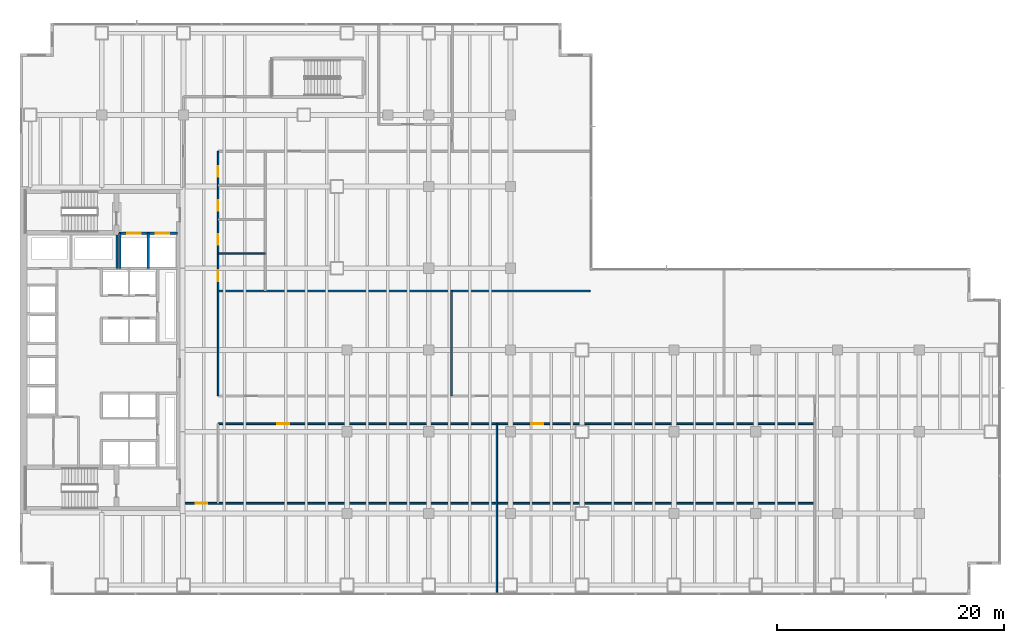
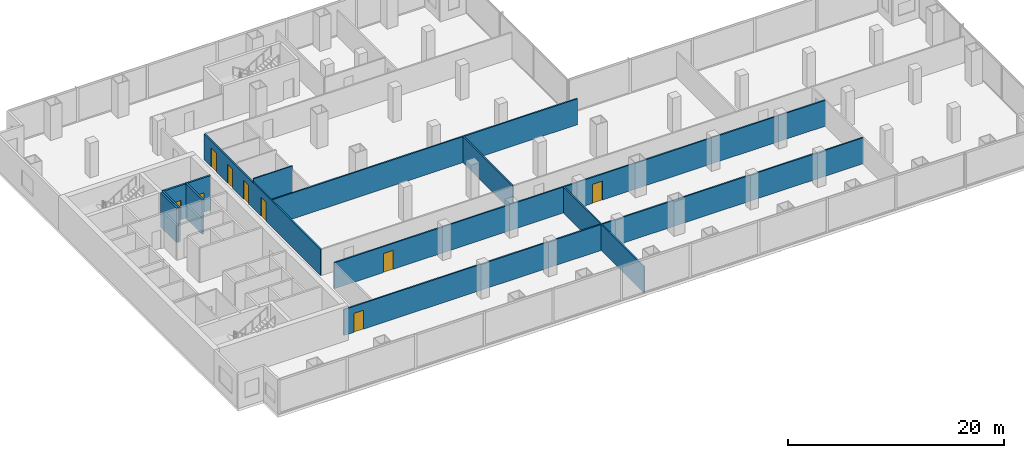
# One storey, part 23 of 31: 11 walls, 9 doors, 9 openings.
"""IFC4 building model written with IfcOpenShell, lengths in metres."""

from ifc_helpers import new_model, si_unit, direction, frame, frame_2d, origin, place, context, subcontext, project, spatial, rectangle, extrude, material, layer, layer_set, type_object, element, fill, save


model = new_model("IFC4")

# Units and contexts
model_context = context("Model", 3, precision=1e-05, world=origin(), true_north=direction((0.0, 1.0)))
body_context = subcontext(model_context, "Body", "Model", "MODEL_VIEW")
ifc_project = project(units=[si_unit("LENGTHUNIT", "METRE"), si_unit("AREAUNIT", "SQUARE_METRE"), si_unit("VOLUMEUNIT", "CUBIC_METRE"), si_unit("PLANEANGLEUNIT", "RADIAN"), si_unit("MASSUNIT", "GRAM", prefix="KILO")], contexts=[model_context])

# Site, building, storey
site_placement = place(None, origin())
site = spatial("IfcSite", under=ifc_project, at=site_placement, CompositionType="ELEMENT")
building_placement = place(site_placement, origin())
building = spatial("IfcBuilding", under=site, at=building_placement, Name="Cobrela Telecom Tower", CompositionType="ELEMENT")
storey_placement = place(building_placement, frame((0.0, 0.0, 9.449951171875)))
storey = spatial("IfcBuildingStorey", under=building, at=storey_placement, Name="L02", CompositionType="ELEMENT", Elevation=9.449951171875)

# Wall
ifc_material_1 = material(Name="Fire-Rated Gypsum Plasterboard")
ifc_layer_1 = layer(ifc_material_1, 0.125)
ifc_layer_set_1 = layer_set([ifc_layer_1], Name="Fire-Rated Gypsum Plasterboard")
wall_type_1 = type_object("IfcWallType", Name="WALL-PART-125", PredefinedType="PARTITIONING", material=ifc_layer_set_1)
wall_1_placement = place(storey_placement, frame((17.449951171875, 30.10009765625, 0.0), z_axis=(0.0, 0.0, 1.0), x_axis=(1.0, 0.0, 0.0)))
element("IfcWall", 1, at=wall_1_placement, inside=storey, type_object=wall_type_1, Name="L02 Interior Partition W-PWC-3", PredefinedType="PARTITIONING", context=body_context, shape_type="SweptSolid", body=[
    extrude(rectangle(XDim=4.150146484375, YDim=0.125, at=frame_2d((2.0751953125, 0.0))), origin(), (0.0, 0.0, 1.0), 3.3359375),
])

# Wall, opening, door
ifc_layer_2 = layer(ifc_material_1, 0.14990234375)
ifc_layer_set_2 = layer_set([ifc_layer_2], Name="Fire-Rated Gypsum Plasterboard")
wall_type_2 = type_object("IfcWallType", Name="WALL-PART-150", PredefinedType="PARTITIONING", material=ifc_layer_set_2)
wall_2_placement = place(storey_placement, frame((14.39990234375, 8.10009765625, 0.0), z_axis=(0.0, 0.0, 1.0), x_axis=(1.0, 0.0, 0.0)))
wall_2 = element("IfcWall", 2, at=wall_2_placement, inside=storey, type_object=wall_type_2, Name="L02 Interior Partition W-PC-S", PredefinedType="PARTITIONING", context=body_context, shape_type="SweptSolid", body=[
    extrude(rectangle(XDim=55.60009765625, YDim=0.14990234375, at=frame_2d((27.800048828125, 0.0))), origin(), (0.0, 0.0, 1.0), 2.93798828125),
])
opening_1_placement = place(wall_2_placement, frame((1.10009765625, 0.0, 0.0)))
opening_1 = element("IfcOpeningElement", 3, at=opening_1_placement, cuts=wall_2, Name="Opening DR-31", PredefinedType="OPENING", context=body_context, shape_type="SweptSolid", body=[
    extrude(rectangle(XDim=1.0, YDim=2.14990234375, at=frame_2d((0.5, 1.074951171875))), frame((0.0, 0.0869140625, 0.0), z_axis=(0.0, -1.0, 0.0), x_axis=(1.0, 0.0, 0.0)), (0.0, 0.0, 1.0), 0.173828125),
])
ifc_material_2 = material(Name="Solid Engineered Oak Timber", Category="wood")
door_type_1 = type_object("IfcDoorType", Name="DOOR-INT-1000", OperationType="SINGLE_SWING_LEFT", PredefinedType="DOOR", material=ifc_material_2)
door_1_placement = place(opening_1_placement, origin())
door_1 = element("IfcDoor", 4, at=door_1_placement, inside=storey, type_object=door_type_1, Name="L02 Door DR-31", OperationType="SINGLE_SWING_RIGHT", OverallHeight=2.14990234375, OverallWidth=1.0, PredefinedType="DOOR", context=body_context, shape_type="SweptSolid", body=[
    extrude(rectangle(XDim=1.0, YDim=2.14990234375, at=frame_2d((0.5, 1.074951171875))), frame((0.0, 0.02490234375, 0.0), z_axis=(0.0, -1.0, 0.0), x_axis=(1.0, 0.0, 0.0)), (0.0, 0.0, 1.0), 0.050048828125),
])
fill(opening_1, door_1)

# Wall, openings, doors
wall_3_placement = place(storey_placement, frame((17.449951171875, 17.550048828125, 0.0), z_axis=(0.0, 0.0, 1.0), x_axis=(0.0, 1.0, 0.0)))
wall_3 = element("IfcWall", 5, at=wall_3_placement, inside=storey, type_object=wall_type_2, Name="L02 Interior Partition W-PC-E2", PredefinedType="PARTITIONING", context=body_context, shape_type="SweptSolid", body=[
    extrude(rectangle(XDim=21.550048828125, YDim=0.14990234375, at=frame_2d((10.77490234375, 0.0))), origin(), (0.0, 0.0, 1.0), 2.93798828125),
])
opening_2_placement = place(wall_3_placement, frame((19.300048828125, 0.0, 0.0)))
opening_2 = element("IfcOpeningElement", 6, at=opening_2_placement, cuts=wall_3, Name="Opening DR-67", PredefinedType="OPENING", context=body_context, shape_type="SweptSolid", body=[
    extrude(rectangle(XDim=0.949951171875, YDim=2.14990234375, at=frame_2d((0.47509765625, 1.074951171875))), frame((0.0, 0.0869140625, 0.0), z_axis=(0.0, -1.0, 0.0), x_axis=(1.0, 0.0, 0.0)), (0.0, 0.0, 1.0), 0.173828125),
])
opening_3_placement = place(wall_3_placement, frame((16.300048828125, 0.0, 0.0)))
opening_3 = element("IfcOpeningElement", 7, at=opening_3_placement, cuts=wall_3, Name="Opening DR-67", PredefinedType="OPENING", context=body_context, shape_type="SweptSolid", body=[
    extrude(rectangle(XDim=0.949951171875, YDim=2.14990234375, at=frame_2d((0.47509765625, 1.074951171875))), frame((0.0, 0.0869140625, 0.0), z_axis=(0.0, -1.0, 0.0), x_axis=(1.0, 0.0, 0.0)), (0.0, 0.0, 1.0), 0.173828125),
])
opening_4_placement = place(wall_3_placement, frame((13.300048828125, 0.0, 0.0)))
opening_4 = element("IfcOpeningElement", 8, at=opening_4_placement, cuts=wall_3, Name="Opening DR-67", PredefinedType="OPENING", context=body_context, shape_type="SweptSolid", body=[
    extrude(rectangle(XDim=0.949951171875, YDim=2.14990234375, at=frame_2d((0.47509765625, 1.074951171875))), frame((0.0, 0.0869140625, 0.0), z_axis=(0.0, -1.0, 0.0), x_axis=(1.0, 0.0, 0.0)), (0.0, 0.0, 1.0), 0.173828125),
])
opening_5_placement = place(wall_3_placement, frame((10.10009765625, 0.0, 0.0)))
opening_5 = element("IfcOpeningElement", 9, at=opening_5_placement, cuts=wall_3, Name="Opening DR-67", PredefinedType="OPENING", context=body_context, shape_type="SweptSolid", body=[
    extrude(rectangle(XDim=0.949951171875, YDim=2.14990234375, at=frame_2d((0.47509765625, 1.074951171875))), frame((0.0, 0.0869140625, 0.0), z_axis=(0.0, -1.0, 0.0), x_axis=(1.0, 0.0, 0.0)), (0.0, 0.0, 1.0), 0.173828125),
])
door_type_2 = type_object("IfcDoorType", Name="DOOR-INT-950", OperationType="SINGLE_SWING_LEFT", PredefinedType="DOOR", material=ifc_material_2)
door_2_placement = place(opening_2_placement, origin())
door_2 = element("IfcDoor", 10, at=door_2_placement, inside=storey, type_object=door_type_2, Name="L02 Door DR-67", OperationType="SINGLE_SWING_LEFT", OverallHeight=2.14990234375, OverallWidth=0.949951171875, PredefinedType="DOOR", context=body_context, shape_type="SweptSolid", body=[
    extrude(rectangle(XDim=0.949951171875, YDim=2.14990234375, at=frame_2d((0.47509765625, 1.074951171875))), frame((0.0, 0.02490234375, 0.0), z_axis=(0.0, -1.0, 0.0), x_axis=(1.0, 0.0, 0.0)), (0.0, 0.0, 1.0), 0.050048828125),
])
fill(opening_2, door_2)
door_3_placement = place(opening_3_placement, origin())
door_3 = element("IfcDoor", 11, at=door_3_placement, inside=storey, type_object=door_type_2, Name="L02 Door DR-67", OperationType="SINGLE_SWING_RIGHT", OverallHeight=2.14990234375, OverallWidth=0.949951171875, PredefinedType="DOOR", context=body_context, shape_type="SweptSolid", body=[
    extrude(rectangle(XDim=0.949951171875, YDim=2.14990234375, at=frame_2d((0.47509765625, 1.074951171875))), frame((0.0, 0.02490234375, 0.0), z_axis=(0.0, -1.0, 0.0), x_axis=(1.0, 0.0, 0.0)), (0.0, 0.0, 1.0), 0.050048828125),
])
fill(opening_3, door_3)
door_4_placement = place(opening_4_placement, origin())
door_4 = element("IfcDoor", 12, at=door_4_placement, inside=storey, type_object=door_type_2, Name="L02 Door DR-67", OperationType="SINGLE_SWING_LEFT", OverallHeight=2.14990234375, OverallWidth=0.949951171875, PredefinedType="DOOR", context=body_context, shape_type="SweptSolid", body=[
    extrude(rectangle(XDim=0.949951171875, YDim=2.14990234375, at=frame_2d((0.47509765625, 1.074951171875))), frame((0.0, 0.02490234375, 0.0), z_axis=(0.0, -1.0, 0.0), x_axis=(1.0, 0.0, 0.0)), (0.0, 0.0, 1.0), 0.050048828125),
])
fill(opening_4, door_4)
door_5_placement = place(opening_5_placement, origin())
door_5 = element("IfcDoor", 13, at=door_5_placement, inside=storey, type_object=door_type_2, Name="L02 Door DR-67", OperationType="SINGLE_SWING_RIGHT", OverallHeight=2.14990234375, OverallWidth=0.949951171875, PredefinedType="DOOR", context=body_context, shape_type="SweptSolid", body=[
    extrude(rectangle(XDim=0.949951171875, YDim=2.14990234375, at=frame_2d((0.47509765625, 1.074951171875))), frame((0.0, 0.02490234375, 0.0), z_axis=(0.0, -1.0, 0.0), x_axis=(1.0, 0.0, 0.0)), (0.0, 0.0, 1.0), 0.050048828125),
])
fill(opening_5, door_5)

wall_4_placement = place(storey_placement, frame((17.449951171875, 15.10009765625, 0.0), z_axis=(0.0, 0.0, 1.0), x_axis=(1.0, 0.0, 0.0)))
wall_4 = element("IfcWall", 14, at=wall_4_placement, inside=storey, type_object=wall_type_2, Name="L02 Interior Partition W-PC-HS", PredefinedType="PARTITIONING", context=body_context, shape_type="SweptSolid", body=[
    extrude(rectangle(XDim=52.550048828125, YDim=0.14990234375, at=frame_2d((26.27490234375, 0.0))), origin(), (0.0, 0.0, 1.0), 2.93798828125),
])
opening_6_placement = place(wall_4_placement, frame((5.199951171875, 0.0, 0.0)))
opening_6 = element("IfcOpeningElement", 15, at=opening_6_placement, cuts=wall_4, Name="Opening DR-29", PredefinedType="OPENING", context=body_context, shape_type="SweptSolid", body=[
    extrude(rectangle(XDim=1.050048828125, YDim=2.14990234375, at=frame_2d((0.52490234375, 1.074951171875))), frame((0.0, 0.0869140625, 0.0), z_axis=(0.0, -1.0, 0.0), x_axis=(1.0, 0.0, 0.0)), (0.0, 0.0, 1.0), 0.173828125),
])
opening_7_placement = place(wall_4_placement, frame((27.60009765625, 0.0, 0.0)))
opening_7 = element("IfcOpeningElement", 16, at=opening_7_placement, cuts=wall_4, Name="Opening DR-29", PredefinedType="OPENING", context=body_context, shape_type="SweptSolid", body=[
    extrude(rectangle(XDim=1.050048828125, YDim=2.14990234375, at=frame_2d((0.52490234375, 1.074951171875))), frame((0.0, 0.0869140625, 0.0), z_axis=(0.0, -1.0, 0.0), x_axis=(1.0, 0.0, 0.0)), (0.0, 0.0, 1.0), 0.173828125),
])
door_type_3 = type_object("IfcDoorType", Name="DOOR-INT-1050", OperationType="SINGLE_SWING_LEFT", PredefinedType="DOOR", material=ifc_material_2)
door_6_placement = place(opening_6_placement, origin())
door_6 = element("IfcDoor", 17, at=door_6_placement, inside=storey, type_object=door_type_3, Name="L02 Door DR-29", OperationType="SINGLE_SWING_LEFT", OverallHeight=2.14990234375, OverallWidth=1.050048828125, PredefinedType="DOOR", context=body_context, shape_type="SweptSolid", body=[
    extrude(rectangle(XDim=1.050048828125, YDim=2.14990234375, at=frame_2d((0.52490234375, 1.074951171875))), frame((0.0, 0.02490234375, 0.0), z_axis=(0.0, -1.0, 0.0), x_axis=(1.0, 0.0, 0.0)), (0.0, 0.0, 1.0), 0.050048828125),
])
fill(opening_6, door_6)
door_7_placement = place(opening_7_placement, origin())
door_7 = element("IfcDoor", 18, at=door_7_placement, inside=storey, type_object=door_type_3, Name="L02 Door DR-29", OperationType="SINGLE_SWING_RIGHT", OverallHeight=2.14990234375, OverallWidth=1.050048828125, PredefinedType="DOOR", context=body_context, shape_type="SweptSolid", body=[
    extrude(rectangle(XDim=1.050048828125, YDim=2.14990234375, at=frame_2d((0.52490234375, 1.074951171875))), frame((0.0, 0.02490234375, 0.0), z_axis=(0.0, -1.0, 0.0), x_axis=(1.0, 0.0, 0.0)), (0.0, 0.0, 1.0), 0.050048828125),
])
fill(opening_7, door_7)

# Walls
wall_5_placement = place(storey_placement, frame((17.449951171875, 26.800048828125, 0.0), z_axis=(0.0, 0.0, 1.0), x_axis=(1.0, 0.0, 0.0)))
element("IfcWall", 19, at=wall_5_placement, inside=storey, type_object=wall_type_2, Name="L02 Interior Partition W-PWC-4", PredefinedType="PARTITIONING", context=body_context, shape_type="SweptSolid", body=[
    extrude(rectangle(XDim=32.75, YDim=0.14990234375, at=frame_2d((16.375, 0.0))), origin(), (0.0, 0.0, 1.0), 2.93798828125),
])
wall_6_placement = place(storey_placement, frame((38.0, 17.550048828125, 0.0), z_axis=(0.0, 0.0, 1.0), x_axis=(0.0, 1.0, 0.0)))
element("IfcWall", 20, at=wall_6_placement, inside=storey, type_object=wall_type_2, Name="L02 Interior Partition W-POD-V1", PredefinedType="PARTITIONING", context=body_context, shape_type="SweptSolid", body=[
    extrude(rectangle(XDim=9.25, YDim=0.14990234375, at=frame_2d((4.625, 0.0))), origin(), (0.0, 0.0, 1.0), 2.93798828125),
])
wall_7_placement = place(storey_placement, frame((42.0, 0.1201171875, 0.0), z_axis=(0.0, 0.0, 1.0), x_axis=(0.0, 1.0, 0.0)))
element("IfcWall", 21, at=wall_7_placement, inside=storey, type_object=wall_type_2, Name="L02 Interior Partition W-POD-S1", PredefinedType="PARTITIONING", context=body_context, shape_type="SweptSolid", body=[
    extrude(rectangle(XDim=14.97998046875, YDim=0.14990234375, at=frame_2d((7.489990234375, 0.0))), origin(), (0.0, 0.0, 1.0), 2.93798828125),
])

# Wall, openings, doors
ifc_layer_3 = layer(ifc_material_1, 0.199951171875)
ifc_layer_set_3 = layer_set([ifc_layer_3], Name="Fire-Rated Gypsum Plasterboard")
wall_type_3 = type_object("IfcWallType", Name="WALL-SHAFT-200", PredefinedType="PARTITIONING", material=ifc_layer_set_3)
wall_8_placement = place(storey_placement, frame((8.699951171875, 31.8798828125, 0.0), z_axis=(0.0, 0.0, 1.0), x_axis=(1.0, 0.0, 0.0)))
wall_8 = element("IfcWall", 22, at=wall_8_placement, inside=storey, type_object=wall_type_3, Name="L02 Shaft Enclosure CW-FFL-S", PredefinedType="PARTITIONING", context=body_context, shape_type="SweptSolid", body=[
    extrude(rectangle(XDim=5.150146484375, YDim=0.199951171875, at=frame_2d((2.5751953125, 0.0))), origin(), (0.0, 0.0, 1.0), 3.900146484375),
])
opening_8_placement = place(wall_8_placement, frame((0.75, 0.0, 0.0)))
opening_8 = element("IfcOpeningElement", 23, at=opening_8_placement, cuts=wall_8, Name="Opening LD-2", PredefinedType="OPENING", context=body_context, shape_type="SweptSolid", body=[
    extrude(rectangle(XDim=1.199951171875, YDim=2.199951171875, at=frame_2d((0.60009765625, 1.10009765625))), frame((0.0, 0.11181640625, 0.0), z_axis=(0.0, -1.0, 0.0), x_axis=(1.0, 0.0, 0.0)), (0.0, 0.0, 1.0), 0.223876953125),
])
opening_9_placement = place(wall_8_placement, frame((3.25, 0.0, 0.0)))
opening_9 = element("IfcOpeningElement", 24, at=opening_9_placement, cuts=wall_8, Name="Opening LD-2", PredefinedType="OPENING", context=body_context, shape_type="SweptSolid", body=[
    extrude(rectangle(XDim=1.199951171875, YDim=2.199951171875, at=frame_2d((0.60009765625, 1.10009765625))), frame((0.0, 0.11181640625, 0.0), z_axis=(0.0, -1.0, 0.0), x_axis=(1.0, 0.0, 0.0)), (0.0, 0.0, 1.0), 0.223876953125),
])
ifc_material_3 = material(Name="Steel ASTM A36", Category="steel")
door_type_4 = type_object("IfcDoorType", Name="DOOR-LD-FFL", OperationType="SINGLE_SWING_LEFT", PredefinedType="DOOR", material=ifc_material_3)
door_8_placement = place(opening_8_placement, origin())
door_8 = element("IfcDoor", 25, at=door_8_placement, inside=storey, type_object=door_type_4, Name="L02 Lift Landing Door LD-2", OperationType="DOUBLE_DOOR_SLIDING", OverallHeight=2.199951171875, OverallWidth=1.199951171875, PredefinedType="DOOR", context=body_context, shape_type="SweptSolid", body=[
    extrude(rectangle(XDim=1.199951171875, YDim=2.199951171875, at=frame_2d((0.60009765625, 1.10009765625))), frame((0.0, 0.02490234375, 0.0), z_axis=(0.0, -1.0, 0.0), x_axis=(1.0, 0.0, 0.0)), (0.0, 0.0, 1.0), 0.050048828125),
])
fill(opening_8, door_8)
door_9_placement = place(opening_9_placement, origin())
door_9 = element("IfcDoor", 26, at=door_9_placement, inside=storey, type_object=door_type_4, Name="L02 Lift Landing Door LD-2", OperationType="DOUBLE_DOOR_SLIDING", OverallHeight=2.199951171875, OverallWidth=1.199951171875, PredefinedType="DOOR", context=body_context, shape_type="SweptSolid", body=[
    extrude(rectangle(XDim=1.199951171875, YDim=2.199951171875, at=frame_2d((0.60009765625, 1.10009765625))), frame((0.0, 0.02490234375, 0.0), z_axis=(0.0, -1.0, 0.0), x_axis=(1.0, 0.0, 0.0)), (0.0, 0.0, 1.0), 0.050048828125),
])
fill(opening_9, door_9)

# Walls
for number, where, z_axis, x_axis, name in (
    (27, (8.780029296875, 28.780029296875, 0.0), (0.0, 0.0, 1.0), (0.0, 1.0, 0.0), "L02 Shaft Enclosure CW-FFL-W"),
    (28, (11.300048828125, 28.780029296875, 0.0), (0.0, 0.0, 1.0), (0.0, 1.0, 0.0), "L02 Shaft Enclosure CW-FFL-M"),
):
    element("IfcWall", number, at=place(storey_placement, frame(where, z_axis=z_axis, x_axis=x_axis)), inside=storey, type_object=wall_type_3, Name=name, PredefinedType="PARTITIONING", context=body_context, shape_type="SweptSolid", body=[
        extrude(rectangle(XDim=3.099853515625, YDim=0.199951171875, at=frame_2d((1.5498046875, 0.0))), origin(), (0.0, 0.0, 1.0), 3.900146484375),
    ])
wall_9_placement = place(storey_placement, frame((8.550048828125, 28.780029296875, 0.0), z_axis=(0.0, 0.0, 1.0), x_axis=(0.0, 1.0, 0.0)))
element("IfcWall", 29, at=wall_9_placement, inside=storey, type_object=wall_type_3, Name="L02 Shaft Enclosure CW-RIS-E", PredefinedType="PARTITIONING", context=body_context, shape_type="SweptSolid", body=[
    extrude(rectangle(XDim=2.93994140625, YDim=0.199951171875, at=frame_2d((1.469970703125, 0.0))), origin(), (0.0, 0.0, 1.0), 3.900146484375),
])

save(model, "model.ifc")
